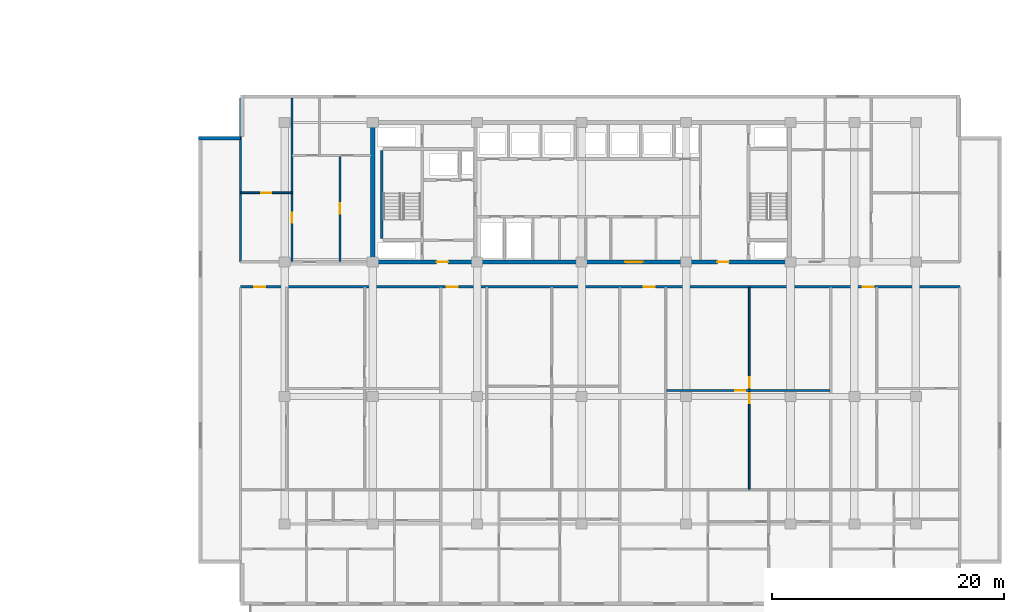
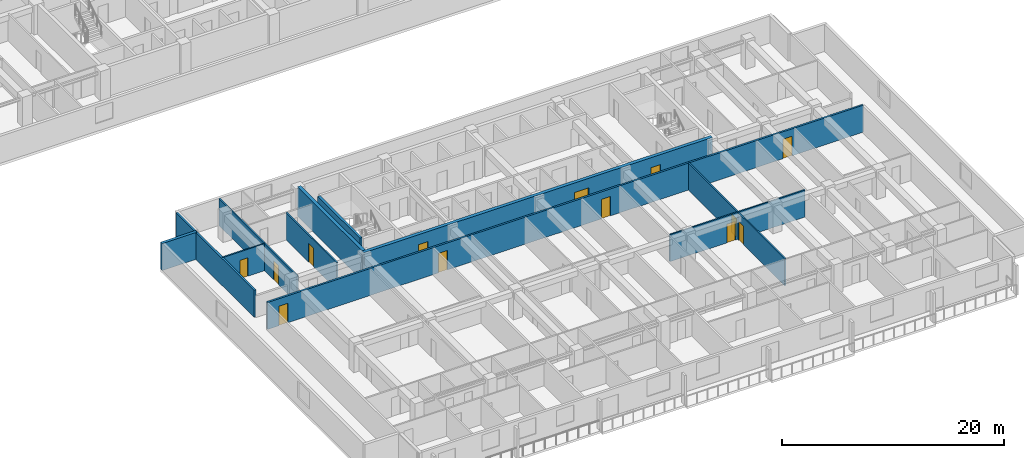
# One storey, part 5 of 23: 13 doors, 11 walls, 13 openings.
"""IFC4 building model written with IfcOpenShell, lengths in metres."""

from ifc_helpers import new_model, si_unit, direction, frame, frame_2d, origin, place, context, subcontext, project, spatial, rectangle, extrude, material, layer, layer_set, type_object, element, fill, save


model = new_model("IFC4")

# Units and contexts
model_context = context("Model", 3, precision=1e-05, world=origin(), true_north=direction((0.0, 1.0)))
body_context = subcontext(model_context, "Body", "Model", "MODEL_VIEW")
ifc_project = project(units=[si_unit("LENGTHUNIT", "METRE"), si_unit("AREAUNIT", "SQUARE_METRE"), si_unit("VOLUMEUNIT", "CUBIC_METRE"), si_unit("PLANEANGLEUNIT", "RADIAN"), si_unit("MASSUNIT", "GRAM", prefix="KILO")], contexts=[model_context])

# Site, building, storey
site_placement = place(None, origin())
site = spatial("IfcSite", under=ifc_project, at=site_placement, CompositionType="ELEMENT")
building_placement = place(site_placement, origin())
building = spatial("IfcBuilding", under=site, at=building_placement, Name="Korimba Cascade Residences", CompositionType="ELEMENT")
storey_placement = place(building_placement, frame((0.0, 0.0, 46.75)))
storey = spatial("IfcBuildingStorey", under=building, at=storey_placement, Name="L12", CompositionType="ELEMENT", Elevation=46.75)

# Walls
ifc_material_1 = material(Name="Precast concrete C40/50", Category="concrete")
ifc_layer_1 = layer(ifc_material_1, 0.300048828125)
ifc_layer_set_1 = layer_set([ifc_layer_1], Name="Precast concrete C40/50")
wall_type_1 = type_object("IfcWallType", Name="EW-STONE-300", PredefinedType="STANDARD", material=ifc_layer_set_1)
wall_1_placement = place(storey_placement, frame((70.699951171875, 29.050048828125, 0.0), z_axis=(0.0, 0.0, 1.0), x_axis=(-1.0, 0.0, 0.0)))
element("IfcWall", 1, at=wall_1_placement, inside=storey, type_object=wall_type_1, Name="L12 T2 Perimeter Stone Wall E08", PredefinedType="STANDARD", context=body_context, shape_type="SweptSolid", body=[
    extrude(rectangle(XDim=3.599853515625, YDim=0.300048828125, at=frame_2d((1.7998046875, 0.0))), origin(), (0.0, 0.0, 1.0), 2.969970703125),
])
ifc_material_2 = material(Name="Concrete C65/80", Category="concrete")
ifc_layer_2 = layer(ifc_material_2, 0.35009765625)
ifc_layer_set_2 = layer_set([ifc_layer_2], Name="Concrete C65/80")
wall_type_2 = type_object("IfcWallType", Name="WAL-CORE-350", PredefinedType="SHEAR", material=ifc_layer_set_2)
wall_2_placement = place(storey_placement, frame((82.10009765625, 18.574951171875, 0.0), z_axis=(0.0, 0.0, 1.0), x_axis=(0.0, 1.0, 0.0)))
element("IfcWall", 2, at=wall_2_placement, inside=storey, type_object=wall_type_2, Name="L12 Core Shear Wall CW-L12-T2-W", PredefinedType="SHEAR", context=body_context, shape_type="SweptSolid", body=[
    extrude(rectangle(XDim=11.650146484375, YDim=0.35009765625, at=frame_2d((5.8251953125, 0.0))), origin(), (0.0, 0.0, 1.0), 3.25),
])

# Wall, openings, doors
wall_3_placement = place(storey_placement, frame((81.925048828125, 18.39990234375, 0.0), z_axis=(0.0, 0.0, 1.0), x_axis=(1.0, 0.0, 0.0)))
wall_3 = element("IfcWall", 3, at=wall_3_placement, inside=storey, type_object=wall_type_2, Name="L12 Core Shear Wall CW-L12-T2-S", PredefinedType="SHEAR", context=body_context, shape_type="SweptSolid", body=[
    extrude(rectangle(XDim=36.264892578125, YDim=0.35009765625, at=frame_2d((18.13232421875, 0.0))), origin(), (0.0, 0.0, 1.0), 3.25),
])
opening_1_placement = place(wall_3_placement, frame((5.675048828125, 0.0, 0.0)))
opening_1 = element("IfcOpeningElement", 4, at=opening_1_placement, cuts=wall_3, Name="Opening D-FD5", PredefinedType="OPENING", context=body_context, shape_type="SweptSolid", body=[
    extrude(rectangle(XDim=1.0, YDim=2.14990234375, at=frame_2d((0.5, 1.074951171875))), frame((0.0, 0.18505859375, 0.0), z_axis=(0.0, -1.0, 0.0), x_axis=(1.0, 0.0, 0.0)), (0.0, 0.0, 1.0), 0.3701171875),
])
opening_2_placement = place(wall_3_placement, frame((21.925048828125, 0.0, 0.0)))
opening_2 = element("IfcOpeningElement", 5, at=opening_2_placement, cuts=wall_3, Name="Opening D-FD8", PredefinedType="OPENING", context=body_context, shape_type="SweptSolid", body=[
    extrude(rectangle(XDim=1.5, YDim=2.199951171875, at=frame_2d((0.75, 1.10009765625))), frame((0.0, 0.18505859375, 0.0), z_axis=(0.0, -1.0, 0.0), x_axis=(1.0, 0.0, 0.0)), (0.0, 0.0, 1.0), 0.3701171875),
])
opening_3_placement = place(wall_3_placement, frame((29.875, 0.0, 0.0)))
opening_3 = element("IfcOpeningElement", 6, at=opening_3_placement, cuts=wall_3, Name="Opening D-FD5", PredefinedType="OPENING", context=body_context, shape_type="SweptSolid", body=[
    extrude(rectangle(XDim=1.0, YDim=2.14990234375, at=frame_2d((0.5, 1.074951171875))), frame((0.0, 0.18505859375, 0.0), z_axis=(0.0, -1.0, 0.0), x_axis=(1.0, 0.0, 0.0)), (0.0, 0.0, 1.0), 0.3701171875),
])
ifc_material_3 = material(Name="Fire-Rated Acoustic Timber Vestibule Door", Category="wood")
door_type_1 = type_object("IfcDoorType", Name="DR-FD90-1000", OperationType="NOTDEFINED", PredefinedType="DOOR", material=ifc_material_3)
door_1_placement = place(opening_1_placement, origin())
door_1 = element("IfcDoor", 7, at=door_1_placement, inside=storey, type_object=door_type_1, Name="L12 T2 West Core Vestibule Fire Door", OperationType="SINGLE_SWING_RIGHT", OverallHeight=2.14990234375, OverallWidth=1.0, PredefinedType="DOOR", context=body_context, shape_type="SweptSolid", body=[
    extrude(rectangle(XDim=1.0, YDim=2.14990234375, at=frame_2d((0.5, 1.074951171875))), frame((0.0, 0.02490234375, 0.0), z_axis=(0.0, -1.0, 0.0), x_axis=(1.0, 0.0, 0.0)), (0.0, 0.0, 1.0), 0.050048828125),
])
fill(opening_1, door_1)
door_2_placement = place(opening_3_placement, origin())
door_2 = element("IfcDoor", 8, at=door_2_placement, inside=storey, type_object=door_type_1, Name="L12 T2 East Stair Vestibule Fire Door", OperationType="SINGLE_SWING_LEFT", OverallHeight=2.14990234375, OverallWidth=1.0, PredefinedType="DOOR", context=body_context, shape_type="SweptSolid", body=[
    extrude(rectangle(XDim=1.0, YDim=2.14990234375, at=frame_2d((0.5, 1.074951171875))), frame((0.0, 0.02490234375, 0.0), z_axis=(0.0, -1.0, 0.0), x_axis=(1.0, 0.0, 0.0)), (0.0, 0.0, 1.0), 0.050048828125),
])
fill(opening_3, door_2)
ifc_material_4 = material(Name="Fire-Rated Glazed Lift Lobby Double Door", Category="glass")
door_type_2 = type_object("IfcDoorType", Name="DR-FD90-1500", OperationType="NOTDEFINED", PredefinedType="DOOR", material=ifc_material_4)
door_3_placement = place(opening_2_placement, origin())
door_3 = element("IfcDoor", 9, at=door_3_placement, inside=storey, type_object=door_type_2, Name="L12 T2 Lift Lobby Fire Door", OperationType="DOUBLE_DOOR_SINGLE_SWING", OverallHeight=2.199951171875, OverallWidth=1.5, PredefinedType="DOOR", context=body_context, shape_type="SweptSolid", body=[
    extrude(rectangle(XDim=1.5, YDim=2.199951171875, at=frame_2d((0.75, 1.10009765625))), frame((0.0, 0.02490234375, 0.0), z_axis=(0.0, -1.0, 0.0), x_axis=(1.0, 0.0, 0.0)), (0.0, 0.0, 1.0), 0.050048828125),
])
fill(opening_2, door_3)

# Wall
ifc_layer_3 = layer(ifc_material_1, 0.199951171875)
ifc_layer_set_3 = layer_set([ifc_layer_3], Name="Precast concrete C40/50")
wall_type_3 = type_object("IfcWallType", Name="WAL-IT-200", PredefinedType="PARTITIONING", material=ifc_layer_set_3)
wall_4_placement = place(storey_placement, frame((70.699951171875, 18.39990234375, 0.0), z_axis=(0.0, 0.0, 1.0), x_axis=(0.0, 1.0, 0.0)))
element("IfcWall", 10, at=wall_4_placement, inside=storey, type_object=wall_type_3, Name="L12 Partition Wall WAL-L12-T2-FW-WL", PredefinedType="PARTITIONING", context=body_context, shape_type="SweptSolid", body=[
    extrude(rectangle(XDim=14.10009765625, YDim=0.199951171875, at=frame_2d((7.050048828125, 0.0))), origin(), (0.0, 0.0, 1.0), 2.969970703125),
])

# Wall, openings, doors
wall_5_placement = place(storey_placement, frame((70.699951171875, 16.25, 0.0), z_axis=(0.0, 0.0, 1.0), x_axis=(1.0, 0.0, 0.0)))
wall_5 = element("IfcWall", 11, at=wall_5_placement, inside=storey, type_object=wall_type_3, Name="L12 Partition Wall WAL-L12-T2-CORS", PredefinedType="PARTITIONING", context=body_context, shape_type="SweptSolid", body=[
    extrude(rectangle(XDim=62.0, YDim=0.199951171875, at=frame_2d((31.0, 0.0))), origin(), (0.0, 0.0, 1.0), 2.969970703125),
])
opening_4_placement = place(wall_5_placement, frame((1.18603515625, 0.0, 0.0)))
opening_4 = element("IfcOpeningElement", 12, at=opening_4_placement, cuts=wall_5, Name="Opening D-UN1", PredefinedType="OPENING", context=body_context, shape_type="SweptSolid", body=[
    extrude(rectangle(XDim=0.949951171875, YDim=2.14990234375, at=frame_2d((0.47509765625, 1.074951171875))), frame((0.0, 0.10986328125, 0.0), z_axis=(0.0, -1.0, 0.0), x_axis=(1.0, 0.0, 0.0)), (0.0, 0.0, 1.0), 0.219970703125),
])
opening_5_placement = place(wall_5_placement, frame((17.770751953125, 0.0, 0.0)))
opening_5 = element("IfcOpeningElement", 13, at=opening_5_placement, cuts=wall_5, Name="Opening D-UN1", PredefinedType="OPENING", context=body_context, shape_type="SweptSolid", body=[
    extrude(rectangle(XDim=0.949951171875, YDim=2.14990234375, at=frame_2d((0.47509765625, 1.074951171875))), frame((0.0, 0.10986328125, 0.0), z_axis=(0.0, -1.0, 0.0), x_axis=(1.0, 0.0, 0.0)), (0.0, 0.0, 1.0), 0.219970703125),
])
opening_6_placement = place(wall_5_placement, frame((34.73291015625, 0.0, 0.0)))
opening_6 = element("IfcOpeningElement", 14, at=opening_6_placement, cuts=wall_5, Name="Opening D-UN1", PredefinedType="OPENING", context=body_context, shape_type="SweptSolid", body=[
    extrude(rectangle(XDim=0.949951171875, YDim=2.14990234375, at=frame_2d((0.47509765625, 1.074951171875))), frame((0.0, 0.10986328125, 0.0), z_axis=(0.0, -1.0, 0.0), x_axis=(1.0, 0.0, 0.0)), (0.0, 0.0, 1.0), 0.219970703125),
])
opening_7_placement = place(wall_5_placement, frame((53.64013671875, 0.0, 0.0)))
opening_7 = element("IfcOpeningElement", 15, at=opening_7_placement, cuts=wall_5, Name="Opening D-UN1", PredefinedType="OPENING", context=body_context, shape_type="SweptSolid", body=[
    extrude(rectangle(XDim=0.949951171875, YDim=2.14990234375, at=frame_2d((0.47509765625, 1.074951171875))), frame((0.0, 0.10986328125, 0.0), z_axis=(0.0, -1.0, 0.0), x_axis=(1.0, 0.0, 0.0)), (0.0, 0.0, 1.0), 0.219970703125),
])
ifc_material_5 = material(Name="Fire-Rated Hardwood Apartment Entrance Door", Category="wood")
door_type_3 = type_object("IfcDoorType", Name="DR-FD60-950", OperationType="NOTDEFINED", PredefinedType="DOOR", material=ifc_material_5)
door_4_placement = place(opening_4_placement, origin())
door_4 = element("IfcDoor", 16, at=door_4_placement, inside=storey, type_object=door_type_3, Name="Unit L12-T2-U01 Entrance Door", OperationType="SINGLE_SWING_LEFT", OverallHeight=2.14990234375, OverallWidth=0.949951171875, PredefinedType="DOOR", context=body_context, shape_type="SweptSolid", body=[
    extrude(rectangle(XDim=0.949951171875, YDim=2.14990234375, at=frame_2d((0.47509765625, 1.074951171875))), frame((0.0, 0.02490234375, 0.0), z_axis=(0.0, -1.0, 0.0), x_axis=(1.0, 0.0, 0.0)), (0.0, 0.0, 1.0), 0.050048828125),
])
fill(opening_4, door_4)
door_5_placement = place(opening_5_placement, origin())
door_5 = element("IfcDoor", 17, at=door_5_placement, inside=storey, type_object=door_type_3, Name="Unit L12-T2-U02 Entrance Door", OperationType="SINGLE_SWING_RIGHT", OverallHeight=2.14990234375, OverallWidth=0.949951171875, PredefinedType="DOOR", context=body_context, shape_type="SweptSolid", body=[
    extrude(rectangle(XDim=0.949951171875, YDim=2.14990234375, at=frame_2d((0.47509765625, 1.074951171875))), frame((0.0, 0.02490234375, 0.0), z_axis=(0.0, -1.0, 0.0), x_axis=(1.0, 0.0, 0.0)), (0.0, 0.0, 1.0), 0.050048828125),
])
fill(opening_5, door_5)
door_6_placement = place(opening_6_placement, origin())
door_6 = element("IfcDoor", 18, at=door_6_placement, inside=storey, type_object=door_type_3, Name="Unit L12-T2-U03 Entrance Door", OperationType="SINGLE_SWING_LEFT", OverallHeight=2.14990234375, OverallWidth=0.949951171875, PredefinedType="DOOR", context=body_context, shape_type="SweptSolid", body=[
    extrude(rectangle(XDim=0.949951171875, YDim=2.14990234375, at=frame_2d((0.47509765625, 1.074951171875))), frame((0.0, 0.02490234375, 0.0), z_axis=(0.0, -1.0, 0.0), x_axis=(1.0, 0.0, 0.0)), (0.0, 0.0, 1.0), 0.050048828125),
])
fill(opening_6, door_6)
door_7_placement = place(opening_7_placement, origin())
door_7 = element("IfcDoor", 19, at=door_7_placement, inside=storey, type_object=door_type_3, Name="Unit L12-T2-U04 Entrance Door", OperationType="SINGLE_SWING_RIGHT", OverallHeight=2.14990234375, OverallWidth=0.949951171875, PredefinedType="DOOR", context=body_context, shape_type="SweptSolid", body=[
    extrude(rectangle(XDim=0.949951171875, YDim=2.14990234375, at=frame_2d((0.47509765625, 1.074951171875))), frame((0.0, 0.02490234375, 0.0), z_axis=(0.0, -1.0, 0.0), x_axis=(1.0, 0.0, 0.0)), (0.0, 0.0, 1.0), 0.050048828125),
])
fill(opening_7, door_7)

# Wall, opening, door
ifc_material_6 = material(Name="Insulated Acoustic Stud Partition", Category="gypsum")
ifc_layer_4 = layer(ifc_material_6, 0.14990234375)
ifc_layer_set_4 = layer_set([ifc_layer_4], Name="Insulated Acoustic Stud Partition")
wall_type_4 = type_object("IfcWallType", Name="WAL-PART-150", PredefinedType="PARTITIONING", material=ifc_layer_set_4)
wall_6_placement = place(storey_placement, frame((70.699951171875, 24.35009765625, 0.0), z_axis=(0.0, 0.0, 1.0), x_axis=(1.0, 0.0, 0.0)))
wall_6 = element("IfcWall", 20, at=wall_6_placement, inside=storey, type_object=wall_type_4, Name="L12 Partition Wall WAL-L12-T2-FW-STH", PredefinedType="PARTITIONING", context=body_context, shape_type="SweptSolid", body=[
    extrude(rectangle(XDim=4.449951171875, YDim=0.14990234375, at=frame_2d((2.22509765625, 0.0))), origin(), (0.0, 0.0, 1.0), 2.969970703125),
])
opening_8_placement = place(wall_6_placement, frame((1.804931640625, 0.0, 0.0)))
opening_8 = element("IfcOpeningElement", 21, at=opening_8_placement, cuts=wall_6, Name="Opening D-BT1", PredefinedType="OPENING", context=body_context, shape_type="SweptSolid", body=[
    extrude(rectangle(XDim=0.840087890625, YDim=2.0400390625, at=frame_2d((0.419921875, 1.02001953125))), frame((0.0, 0.0849609375, 0.0), z_axis=(0.0, -1.0, 0.0), x_axis=(1.0, 0.0, 0.0)), (0.0, 0.0, 1.0), 0.169921875),
])
ifc_material_7 = material(Name="Moisture-Resistant Bathroom Timber Door", Category="wood")
door_type_4 = type_object("IfcDoorType", Name="DR-INT-850", OperationType="NOTDEFINED", PredefinedType="DOOR", material=ifc_material_7)
door_8_placement = place(opening_8_placement, origin())
door_8 = element("IfcDoor", 22, at=door_8_placement, inside=storey, type_object=door_type_4, Name="L12-T2-FW Dressing Store Door", OperationType="SINGLE_SWING_LEFT", OverallHeight=2.0400390625, OverallWidth=0.840087890625, PredefinedType="DOOR", context=body_context, shape_type="SweptSolid", body=[
    extrude(rectangle(XDim=0.840087890625, YDim=2.0400390625, at=frame_2d((0.419921875, 1.02001953125))), frame((0.0, 0.02490234375, 0.0), z_axis=(0.0, -1.0, 0.0), x_axis=(1.0, 0.0, 0.0)), (0.0, 0.0, 1.0), 0.050048828125),
])
fill(opening_8, door_8)

wall_7_placement = place(storey_placement, frame((75.14990234375, 18.449951171875, 0.0), z_axis=(0.0, 0.0, 1.0), x_axis=(0.0, 1.0, 0.0)))
wall_7 = element("IfcWall", 23, at=wall_7_placement, inside=storey, type_object=wall_type_4, Name="L12 Partition Wall WAL-L12-T2-FW-STV", PredefinedType="PARTITIONING", context=body_context, shape_type="SweptSolid", body=[
    extrude(rectangle(XDim=14.050048828125, YDim=0.14990234375, at=frame_2d((7.02490234375, 0.0))), origin(), (0.0, 0.0, 1.0), 2.969970703125),
])
opening_9_placement = place(wall_7_placement, frame((3.320068359375, 0.0, 0.0)))
opening_9 = element("IfcOpeningElement", 24, at=opening_9_placement, cuts=wall_7, Name="Opening D-IN2", PredefinedType="OPENING", context=body_context, shape_type="SweptSolid", body=[
    extrude(rectangle(XDim=0.8798828125, YDim=2.06005859375, at=frame_2d((0.43994140625, 1.030029296875))), frame((0.0, 0.0849609375, 0.0), z_axis=(0.0, -1.0, 0.0), x_axis=(1.0, 0.0, 0.0)), (0.0, 0.0, 1.0), 0.169921875),
])
ifc_material_8 = material(Name="Acoustic Timber Bedroom Door", Category="wood")
door_type_5 = type_object("IfcDoorType", Name="DR-INT-880", OperationType="NOTDEFINED", PredefinedType="DOOR", material=ifc_material_8)
door_9_placement = place(opening_9_placement, origin())
door_9 = element("IfcDoor", 25, at=door_9_placement, inside=storey, type_object=door_type_5, Name="L12-T2-FW Study Door", OperationType="SINGLE_SWING_RIGHT", OverallHeight=2.06005859375, OverallWidth=0.8798828125, PredefinedType="DOOR", context=body_context, shape_type="SweptSolid", body=[
    extrude(rectangle(XDim=0.8798828125, YDim=2.06005859375, at=frame_2d((0.43994140625, 1.030029296875))), frame((0.0, 0.02490234375, 0.0), z_axis=(0.0, -1.0, 0.0), x_axis=(1.0, 0.0, 0.0)), (0.0, 0.0, 1.0), 0.050048828125),
])
fill(opening_9, door_9)

wall_8_placement = place(storey_placement, frame((79.27001953125, 18.449951171875, 0.0), z_axis=(0.0, 0.0, 1.0), x_axis=(0.0, 1.0, 0.0)))
wall_8 = element("IfcWall", 26, at=wall_8_placement, inside=storey, type_object=wall_type_4, Name="L12 Partition Wall WAL-L12-T2-FW-VS", PredefinedType="PARTITIONING", context=body_context, shape_type="SweptSolid", body=[
    extrude(rectangle(XDim=9.1201171875, YDim=0.14990234375, at=frame_2d((4.56005859375, 0.0))), origin(), (0.0, 0.0, 1.0), 2.969970703125),
])
opening_10_placement = place(wall_8_placement, frame((4.10009765625, 0.0, 0.0)))
opening_10 = element("IfcOpeningElement", 27, at=opening_10_placement, cuts=wall_8, Name="Opening D-IN1", PredefinedType="OPENING", context=body_context, shape_type="SweptSolid", body=[
    extrude(rectangle(XDim=0.919921875, YDim=2.080078125, at=frame_2d((0.4599609375, 1.0400390625))), frame((0.0, 0.0849609375, 0.0), z_axis=(0.0, -1.0, 0.0), x_axis=(1.0, 0.0, 0.0)), (0.0, 0.0, 1.0), 0.169921875),
])
ifc_material_9 = material(Name="Acoustic Timber Living Door", Category="wood")
door_type_6 = type_object("IfcDoorType", Name="DR-INT-920", OperationType="NOTDEFINED", PredefinedType="DOOR", material=ifc_material_9)
door_10_placement = place(opening_10_placement, origin())
door_10 = element("IfcDoor", 28, at=door_10_placement, inside=storey, type_object=door_type_6, Name="L12-T2-FW Living Door", OperationType="SINGLE_SWING_LEFT", OverallHeight=2.080078125, OverallWidth=0.919921875, PredefinedType="DOOR", context=body_context, shape_type="SweptSolid", body=[
    extrude(rectangle(XDim=0.919921875, YDim=2.080078125, at=frame_2d((0.4599609375, 1.0400390625))), frame((0.0, 0.02490234375, 0.0), z_axis=(0.0, -1.0, 0.0), x_axis=(1.0, 0.0, 0.0)), (0.0, 0.0, 1.0), 0.050048828125),
])
fill(opening_10, door_10)

# Wall, openings, doors
wall_9_placement = place(storey_placement, frame((114.55419921875, -1.2099609375, 0.0), z_axis=(0.0, 0.0, 1.0), x_axis=(0.0, 1.0, 0.0)))
wall_9 = element("IfcWall", 29, at=wall_9_placement, inside=storey, type_object=wall_type_4, Name="L12 Partition Wall WAL-L12-T2-U03-FMV", PredefinedType="PARTITIONING", context=body_context, shape_type="SweptSolid", body=[
    extrude(rectangle(XDim=17.39990234375, YDim=0.14990234375, at=frame_2d((8.699951171875, 0.0))), origin(), (0.0, 0.0, 1.0), 2.969970703125),
])
opening_11_placement = place(wall_9_placement, frame((7.429931640625, 0.0, 0.0)))
opening_11 = element("IfcOpeningElement", 30, at=opening_11_placement, cuts=wall_9, Name="Opening D-BT1", PredefinedType="OPENING", context=body_context, shape_type="SweptSolid", body=[
    extrude(rectangle(XDim=0.840087890625, YDim=2.0400390625, at=frame_2d((0.419921875, 1.02001953125))), frame((0.0, 0.0849609375, 0.0), z_axis=(0.0, -1.0, 0.0), x_axis=(1.0, 0.0, 0.0)), (0.0, 0.0, 1.0), 0.169921875),
])
opening_12_placement = place(wall_9_placement, frame((8.77001953125, 0.0, 0.0)))
opening_12 = element("IfcOpeningElement", 31, at=opening_12_placement, cuts=wall_9, Name="Opening D-IN2", PredefinedType="OPENING", context=body_context, shape_type="SweptSolid", body=[
    extrude(rectangle(XDim=0.8798828125, YDim=2.06005859375, at=frame_2d((0.43994140625, 1.030029296875))), frame((0.0, 0.0849609375, 0.0), z_axis=(0.0, -1.0, 0.0), x_axis=(1.0, 0.0, 0.0)), (0.0, 0.0, 1.0), 0.169921875),
])
door_11_placement = place(opening_11_placement, origin())
door_11 = element("IfcDoor", 32, at=door_11_placement, inside=storey, type_object=door_type_4, Name="L12-T2-U03 Wardrobe Door", OperationType="SINGLE_SWING_LEFT", OverallHeight=2.0400390625, OverallWidth=0.840087890625, PredefinedType="DOOR", context=body_context, shape_type="SweptSolid", body=[
    extrude(rectangle(XDim=0.840087890625, YDim=2.0400390625, at=frame_2d((0.419921875, 1.02001953125))), frame((0.0, 0.02490234375, 0.0), z_axis=(0.0, -1.0, 0.0), x_axis=(1.0, 0.0, 0.0)), (0.0, 0.0, 1.0), 0.050048828125),
])
fill(opening_11, door_11)
door_12_placement = place(opening_12_placement, origin())
door_12 = element("IfcDoor", 33, at=door_12_placement, inside=storey, type_object=door_type_5, Name="L12-T2-U03 Music Lounge Door", OperationType="SINGLE_SWING_RIGHT", OverallHeight=2.06005859375, OverallWidth=0.8798828125, PredefinedType="DOOR", context=body_context, shape_type="SweptSolid", body=[
    extrude(rectangle(XDim=0.8798828125, YDim=2.06005859375, at=frame_2d((0.43994140625, 1.030029296875))), frame((0.0, 0.02490234375, 0.0), z_axis=(0.0, -1.0, 0.0), x_axis=(1.0, 0.0, 0.0)), (0.0, 0.0, 1.0), 0.050048828125),
])
fill(opening_12, door_12)

# Wall, opening, door
wall_10_placement = place(storey_placement, frame((107.41796875, 7.31005859375, 0.0), z_axis=(0.0, 0.0, 1.0), x_axis=(1.0, 0.0, 0.0)))
wall_10 = element("IfcWall", 34, at=wall_10_placement, inside=storey, type_object=wall_type_4, Name="L12 Partition Wall WAL-L12-T2-U03-FMH", PredefinedType="PARTITIONING", context=body_context, shape_type="SweptSolid", body=[
    extrude(rectangle(XDim=14.072021484375, YDim=0.14990234375, at=frame_2d((7.0361328125, 0.0))), origin(), (0.0, 0.0, 1.0), 2.969970703125),
])
opening_13_placement = place(wall_10_placement, frame((5.92236328125, 0.0, 0.0)))
opening_13 = element("IfcOpeningElement", 35, at=opening_13_placement, cuts=wall_10, Name="Opening D-IN2", PredefinedType="OPENING", context=body_context, shape_type="SweptSolid", body=[
    extrude(rectangle(XDim=0.8798828125, YDim=2.06005859375, at=frame_2d((0.43994140625, 1.030029296875))), frame((0.0, 0.0849609375, 0.0), z_axis=(0.0, -1.0, 0.0), x_axis=(1.0, 0.0, 0.0)), (0.0, 0.0, 1.0), 0.169921875),
])
door_13_placement = place(opening_13_placement, origin())
door_13 = element("IfcDoor", 36, at=door_13_placement, inside=storey, type_object=door_type_5, Name="L12-T2-U03 Library Salon Door", OperationType="SINGLE_SWING_LEFT", OverallHeight=2.06005859375, OverallWidth=0.8798828125, PredefinedType="DOOR", context=body_context, shape_type="SweptSolid", body=[
    extrude(rectangle(XDim=0.8798828125, YDim=2.06005859375, at=frame_2d((0.43994140625, 1.030029296875))), frame((0.0, 0.02490234375, 0.0), z_axis=(0.0, -1.0, 0.0), x_axis=(1.0, 0.0, 0.0)), (0.0, 0.0, 1.0), 0.050048828125),
])
fill(opening_13, door_13)

# Wall
ifc_material_10 = material(Name="Concrete C50/60", Category="concrete")
ifc_layer_5 = layer(ifc_material_10, 0.25)
ifc_layer_set_5 = layer_set([ifc_layer_5], Name="Concrete C50/60")
wall_type_5 = type_object("IfcWallType", Name="WAL-SHAFT-250", PredefinedType="SHEAR", material=ifc_layer_set_5)
wall_11_placement = place(storey_placement, frame((82.875, 20.39990234375, 0.0), z_axis=(0.0, 0.0, 1.0), x_axis=(0.0, 1.0, 0.0)))
element("IfcWall", 37, at=wall_11_placement, inside=storey, type_object=wall_type_5, Name="L12 Core Shear Wall CW-L12-T2-STE1W", PredefinedType="SHEAR", context=body_context, shape_type="SweptSolid", body=[
    extrude(rectangle(XDim=7.60009765625, YDim=0.25, at=frame_2d((3.800048828125, 0.0))), origin(), (0.0, 0.0, 1.0), 3.25),
])

save(model, "model.ifc")
